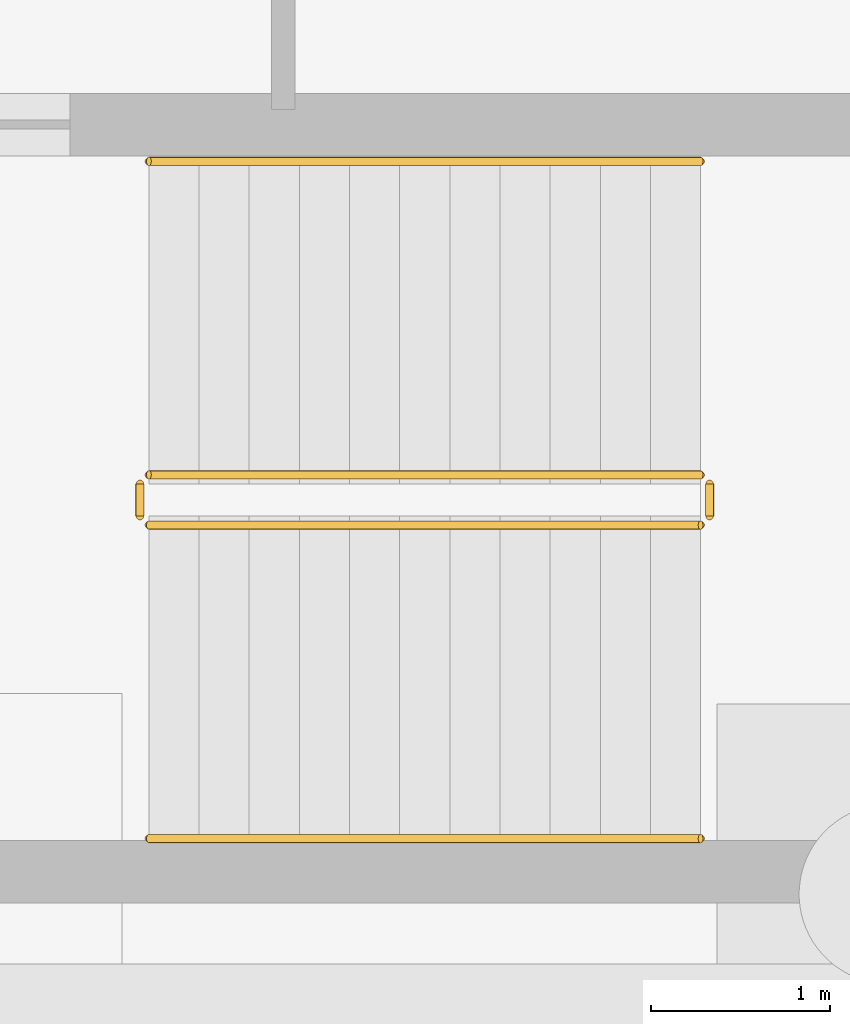
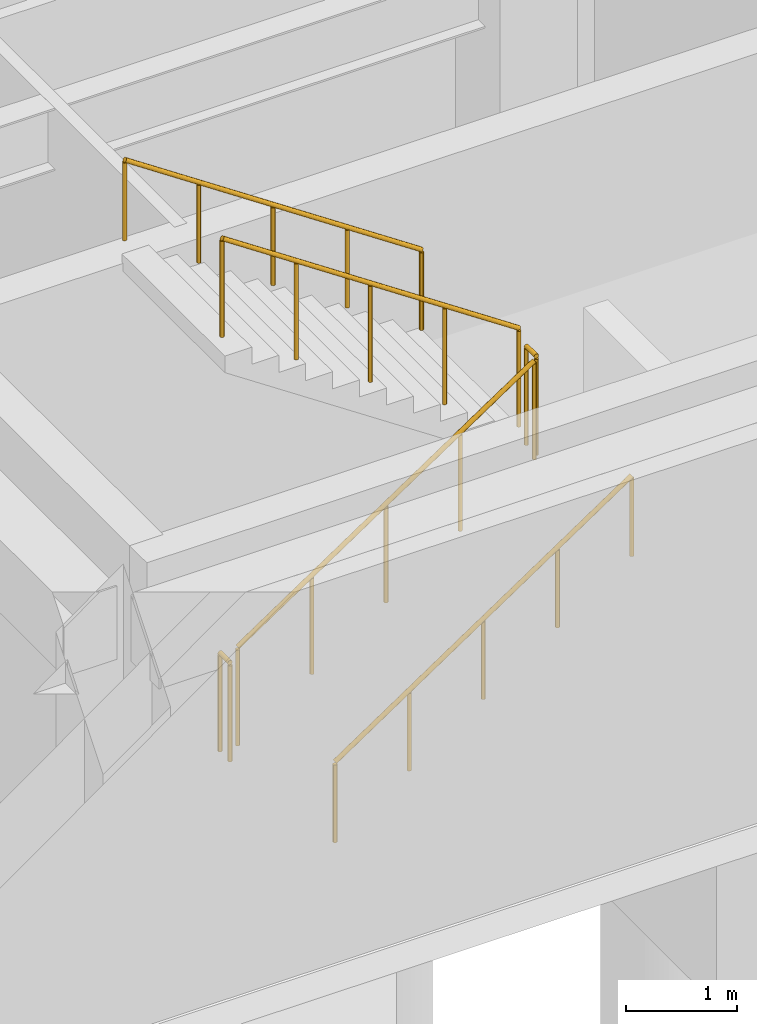
# One storey, part 35 of 42: 6 railings.
"""IFC4 building model written with IfcOpenShell, lengths in metres."""

from ifc_helpers import new_model, si_unit, direction, frame, origin, origin_2d, place, context, subcontext, project, spatial, circle, extrude, material, type_object, element, save


model = new_model("IFC4")

# Units and contexts
model_context = context("Model", 3, precision=1e-05, world=origin(), true_north=direction((0.0, 1.0)))
body_context = subcontext(model_context, "Body", "Model", "MODEL_VIEW")
ifc_project = project(units=[si_unit("LENGTHUNIT", "METRE"), si_unit("AREAUNIT", "SQUARE_METRE"), si_unit("VOLUMEUNIT", "CUBIC_METRE"), si_unit("PLANEANGLEUNIT", "RADIAN"), si_unit("MASSUNIT", "GRAM", prefix="KILO")], contexts=[model_context])

# Site, building, storey
site_placement = place(None, origin())
site = spatial("IfcSite", under=ifc_project, at=site_placement, CompositionType="ELEMENT")
building_placement = place(site_placement, origin())
building = spatial("IfcBuilding", under=site, at=building_placement, Name="Quendrovan Civic Courthouse", CompositionType="ELEMENT")
storey_placement = place(building_placement, frame((0.0, 0.0, -4.5)))
storey = spatial("IfcBuildingStorey", under=building, at=storey_placement, Name="B1", CompositionType="ELEMENT", Elevation=-4.5)

# Railings
ifc_material_1 = material(Name="Painted galvanized steel", Category="steel")
railing_type_1 = type_object("IfcRailingType", Name="RL-STR-GUARD1100", PredefinedType="GUARDRAIL", material=ifc_material_1)
railing_1_placement = place(storey_placement, frame((28.050048828125, 3.199951171875, 0.1875)))
element("IfcRailing", 1, at=railing_1_placement, inside=storey, type_object=railing_type_1, Name="B1 ST5 stair guard 1", PredefinedType="GUARDRAIL", context=body_context, shape_type="SweptSolid", body=[
    extrude(circle(Radius=0.02392578125, at=origin_2d()), frame((0.0, 0.0, 1.076171875), z_axis=(0.830893310487, 0.0, 0.556431762742), x_axis=(0.0, 1.0, 0.0)), (0.0, 0.0, 1.0), 3.70654296875),
    extrude(circle(Radius=0.02099609375, at=origin_2d()), origin(), (0.0, 0.0, 1.0), 1.052001953125),
    extrude(circle(Radius=0.02099609375, at=origin_2d()), frame((0.77001953125, 0.0, 0.515625)), (0.0, 0.0, 1.0), 1.052001953125),
    extrude(circle(Radius=0.02099609375, at=origin_2d()), frame((1.5400390625, 0.0, 1.03125)), (0.0, 0.0, 1.0), 1.052001953125),
    extrude(circle(Radius=0.02099609375, at=origin_2d()), frame((2.309814453125, 0.0, 1.546875)), (0.0, 0.0, 1.0), 1.052001953125),
    extrude(circle(Radius=0.02099609375, at=origin_2d()), frame((3.079833984375, 0.0, 2.0625)), (0.0, 0.0, 1.0), 1.052001953125),
])
railing_2_placement = place(storey_placement, frame((31.179931640625, 3.25, 2.25)))
element("IfcRailing", 2, at=railing_2_placement, inside=storey, type_object=railing_type_1, Name="B1 ST5 stair guard 2", PredefinedType="GUARDRAIL", context=body_context, shape_type="SweptSolid", body=[
    extrude(circle(Radius=0.02392578125, at=origin_2d()), frame((0.0, 0.0, 1.076171875), z_axis=(0.0, 1.0, 0.0), x_axis=(-1.0, 0.0, 0.0)), (0.0, 0.0, 1.0), 0.179931640625),
    extrude(circle(Radius=0.02099609375, at=origin_2d()), origin(), (0.0, 0.0, 1.0), 1.052001953125),
    extrude(circle(Radius=0.02099609375, at=origin_2d()), frame((0.0, 0.179931640625, 0.0)), (0.0, 0.0, 1.0), 1.052001953125),
])
railing_3_placement = place(storey_placement, frame((31.1298828125, 3.47998046875, 2.4375)))
element("IfcRailing", 3, at=railing_3_placement, inside=storey, type_object=railing_type_1, Name="B1 ST5 stair guard 3", PredefinedType="GUARDRAIL", context=body_context, shape_type="SweptSolid", body=[
    extrude(circle(Radius=0.02392578125, at=origin_2d()), frame((0.0, 0.0, 1.076171875), z_axis=(-0.830893310487, 0.0, 0.556431762742), x_axis=(0.0, -1.0, 0.0)), (0.0, 0.0, 1.0), 3.70654296875),
    extrude(circle(Radius=0.02099609375, at=origin_2d()), origin(), (0.0, 0.0, 1.0), 1.052001953125),
    extrude(circle(Radius=0.02099609375, at=origin_2d()), frame((-0.77001953125, 0.0, 0.515625)), (0.0, 0.0, 1.0), 1.052001953125),
    extrude(circle(Radius=0.02099609375, at=origin_2d()), frame((-1.5400390625, 0.0, 1.03125)), (0.0, 0.0, 1.0), 1.052001953125),
    extrude(circle(Radius=0.02099609375, at=origin_2d()), frame((-2.309814453125, 0.0, 1.546875)), (0.0, 0.0, 1.0), 1.052001953125),
    extrude(circle(Radius=0.02099609375, at=origin_2d()), frame((-3.079833984375, 0.0, 2.0625)), (0.0, 0.0, 1.0), 1.052001953125),
])
railing_4_placement = place(storey_placement, frame((28.0, 3.25, 0.0)))
element("IfcRailing", 4, at=railing_4_placement, inside=storey, type_object=railing_type_1, Name="B1 ST5 stair guard 4", PredefinedType="GUARDRAIL", context=body_context, shape_type="SweptSolid", body=[
    extrude(circle(Radius=0.02392578125, at=origin_2d()), frame((0.0, 0.0, 1.076171875), z_axis=(0.0, 1.0, 0.0), x_axis=(-1.0, 0.0, 0.0)), (0.0, 0.0, 1.0), 0.179931640625),
    extrude(circle(Radius=0.02099609375, at=origin_2d()), origin(), (0.0, 0.0, 1.0), 1.052001953125),
    extrude(circle(Radius=0.02099609375, at=origin_2d()), frame((0.0, 0.179931640625, 0.0)), (0.0, 0.0, 1.0), 1.052001953125),
])
ifc_material_2 = material(Name="Bronze anodised aluminium", Category="aluminium")
railing_type_2 = type_object("IfcRailingType", Name="RL-STR-HAND900", PredefinedType="HANDRAIL", material=ifc_material_2)
railing_5_placement = place(storey_placement, frame((28.050048828125, 1.449951171875, 0.1875)))
element("IfcRailing", 5, at=railing_5_placement, inside=storey, type_object=railing_type_2, Name="B1 ST5 stair handrail 1", PredefinedType="HANDRAIL", context=body_context, shape_type="SweptSolid", body=[
    extrude(circle(Radius=0.02392578125, at=origin_2d()), frame((0.0, 0.0, 0.8759765625), z_axis=(0.830893310487, 0.0, 0.556431762742), x_axis=(0.0, 1.0, 0.0)), (0.0, 0.0, 1.0), 3.70654296875),
    extrude(circle(Radius=0.02099609375, at=origin_2d()), origin(), (0.0, 0.0, 1.0), 0.851806640625),
    extrude(circle(Radius=0.02099609375, at=origin_2d()), frame((0.77001953125, 0.0, 0.515625)), (0.0, 0.0, 1.0), 0.851806640625),
    extrude(circle(Radius=0.02099609375, at=origin_2d()), frame((1.5400390625, 0.0, 1.03125)), (0.0, 0.0, 1.0), 0.851806640625),
    extrude(circle(Radius=0.02099609375, at=origin_2d()), frame((2.309814453125, 0.0, 1.546875)), (0.0, 0.0, 1.0), 0.851806640625),
    extrude(circle(Radius=0.02099609375, at=origin_2d()), frame((3.079833984375, 0.0, 2.0625)), (0.0, 0.0, 1.0), 0.851806640625),
])
railing_6_placement = place(storey_placement, frame((31.1298828125, 5.22998046875, 2.4375)))
element("IfcRailing", 6, at=railing_6_placement, inside=storey, type_object=railing_type_2, Name="B1 ST5 stair handrail 2", PredefinedType="HANDRAIL", context=body_context, shape_type="SweptSolid", body=[
    extrude(circle(Radius=0.02392578125, at=origin_2d()), frame((0.0, 0.0, 0.8759765625), z_axis=(-0.830893310487, 0.0, 0.556431762742), x_axis=(0.0, -1.0, 0.0)), (0.0, 0.0, 1.0), 3.70654296875),
    extrude(circle(Radius=0.02099609375, at=origin_2d()), origin(), (0.0, 0.0, 1.0), 0.851806640625),
    extrude(circle(Radius=0.02099609375, at=origin_2d()), frame((-0.77001953125, 0.0, 0.515625)), (0.0, 0.0, 1.0), 0.851806640625),
    extrude(circle(Radius=0.02099609375, at=origin_2d()), frame((-1.5400390625, 0.0, 1.03125)), (0.0, 0.0, 1.0), 0.851806640625),
    extrude(circle(Radius=0.02099609375, at=origin_2d()), frame((-2.309814453125, 0.0, 1.546875)), (0.0, 0.0, 1.0), 0.851806640625),
    extrude(circle(Radius=0.02099609375, at=origin_2d()), frame((-3.079833984375, 0.0, 2.0625)), (0.0, 0.0, 1.0), 0.851806640625),
])

save(model, "model.ifc")
